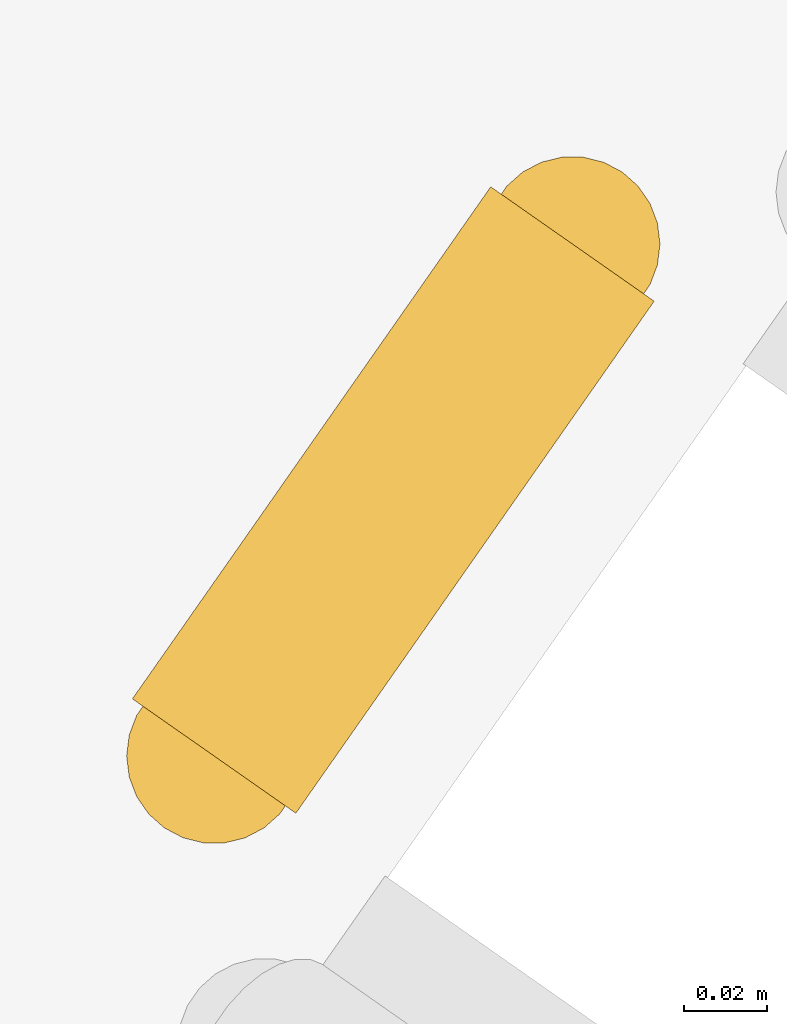
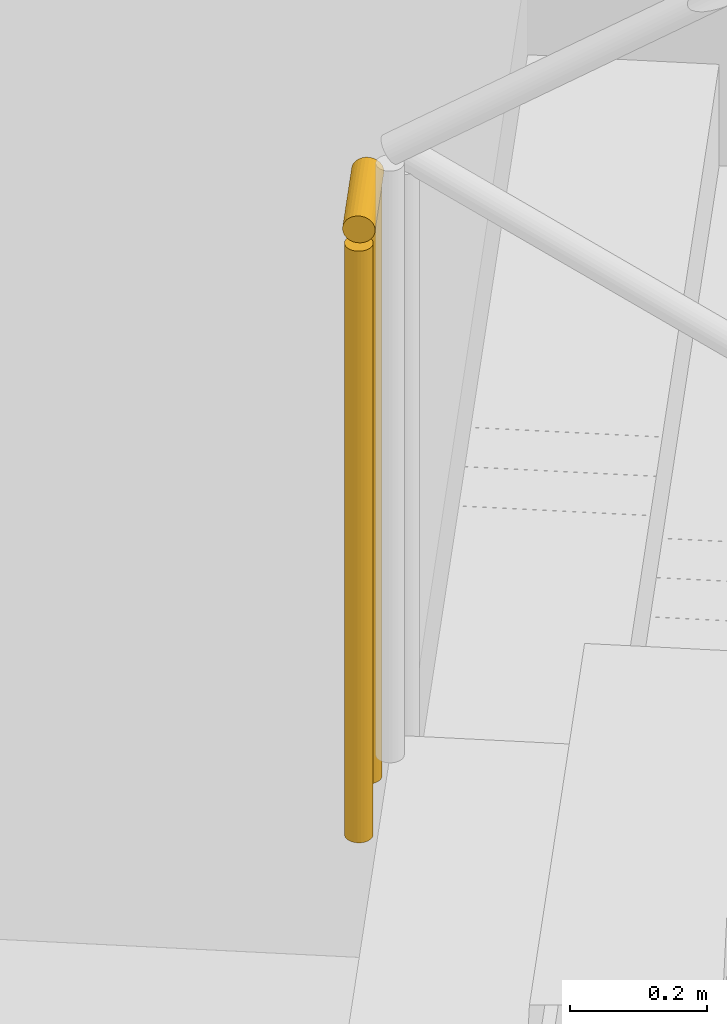
# One storey, part 21 of 23: 1 railing.
"""IFC4 building model written with IfcOpenShell, lengths in metres."""

from ifc_helpers import new_model, si_unit, direction, frame, origin, origin_2d, place, context, subcontext, project, spatial, circle, extrude, material, type_object, element, save


model = new_model("IFC4")

# Units and contexts
model_context = context("Model", 3, precision=1e-05, world=origin(), true_north=direction((0.0, 1.0)))
body_context = subcontext(model_context, "Body", "Model", "MODEL_VIEW")
ifc_project = project(units=[si_unit("LENGTHUNIT", "METRE"), si_unit("AREAUNIT", "SQUARE_METRE"), si_unit("VOLUMEUNIT", "CUBIC_METRE"), si_unit("PLANEANGLEUNIT", "RADIAN"), si_unit("MASSUNIT", "GRAM", prefix="KILO")], contexts=[model_context])

# Site, building, storey
site_placement = place(None, origin())
site = spatial("IfcSite", under=ifc_project, at=site_placement, CompositionType="ELEMENT")
building_placement = place(site_placement, origin())
building = spatial("IfcBuilding", under=site, at=building_placement, Name="Tel Ilan Convention Tower", CompositionType="ELEMENT")
storey_placement = place(building_placement, frame((0.0, 0.0, 94.10009765625)))
storey = spatial("IfcBuildingStorey", under=building, at=storey_placement, Name="L19", CompositionType="ELEMENT", Elevation=94.10009765625)

# Railing
ifc_material = material(Name="Stainless Steel Grade 316", Category="steel")
railing_type = type_object("IfcRailingType", Name="Stainless Steel Stair Guard 1100 mm", PredefinedType="GUARDRAIL", material=ifc_material)
railing_placement = place(storey_placement, frame((18.762939453125, -10.391357421875, 1.7998046875)))
element("IfcRailing", 1, at=railing_placement, inside=storey, type_object=railing_type, Name="L19 S4 stair guard 2", PredefinedType="GUARDRAIL", context=body_context, shape_type="SweptSolid", body=[
    extrude(circle(Radius=0.02392578125, at=origin_2d()), frame((0.0, 0.0, 1.076171875), z_axis=(-0.573353020881, -0.819308436089, 0.0), x_axis=(0.819308436089, -0.573353020881, 0.0)), (0.0, 0.0, 1.0), 0.14990234375),
    extrude(circle(Radius=0.02099609375, at=origin_2d()), origin(), (0.0, 0.0, 1.0), 1.052001953125),
    extrude(circle(Radius=0.02099609375, at=origin_2d()), frame((-0.0859375, -0.122802734375, 0.0)), (0.0, 0.0, 1.0), 1.052001953125),
])

save(model, "model.ifc")
